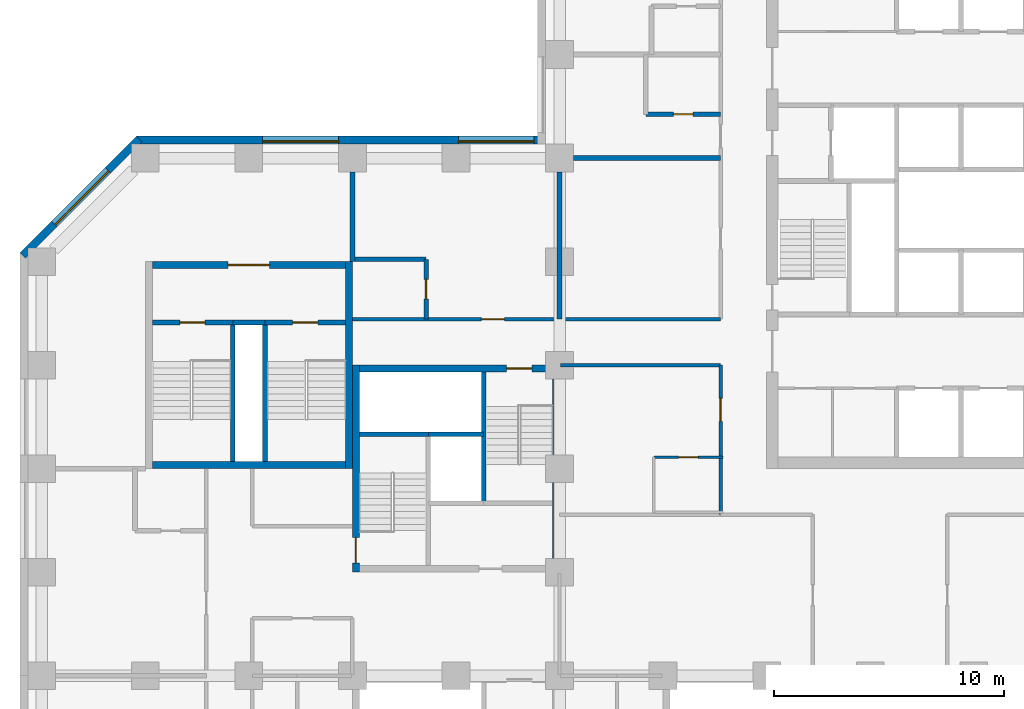
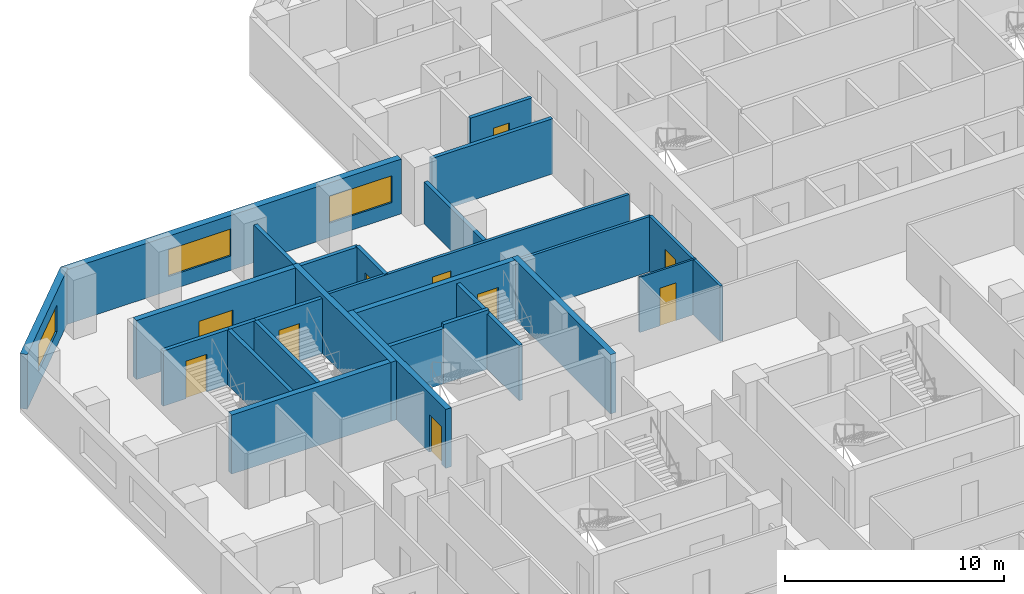
# One storey, part 6 of 12: 26 walls, 10 doors, 3 windows, 13 openings.
"""IFC4 building model written with IfcOpenShell, lengths in metres."""

from ifc_helpers import new_model, si_unit, direction, frame, frame_2d, origin, place, context, subcontext, project, spatial, rectangle, extrude, material, layer, layer_set, constituent, constituent_set, type_object, element, fill, save


model = new_model("IFC4")

# Units and contexts
model_context = context("Model", 3, precision=1e-05, world=origin(), true_north=direction((0.0, 1.0)))
body_context = subcontext(model_context, "Body", "Model", "MODEL_VIEW")
ifc_project = project(units=[si_unit("LENGTHUNIT", "METRE"), si_unit("AREAUNIT", "SQUARE_METRE"), si_unit("VOLUMEUNIT", "CUBIC_METRE"), si_unit("PLANEANGLEUNIT", "RADIAN"), si_unit("MASSUNIT", "GRAM", prefix="KILO")], contexts=[model_context])

# Site, building, storey
site_placement = place(None, origin())
site = spatial("IfcSite", under=ifc_project, at=site_placement, CompositionType="ELEMENT")
building_placement = place(site_placement, origin())
building = spatial("IfcBuilding", under=site, at=building_placement, Name="Quoin Convention Tower", CompositionType="ELEMENT")
storey_placement = place(building_placement, frame((0.0, 0.0, 29.699951171875)))
storey = spatial("IfcBuildingStorey", under=building, at=storey_placement, Name="L06", CompositionType="ELEMENT", Elevation=29.699951171875)

# Wall, openings, windows
ifc_material_1 = material(Name="Brick masonry", Category="masonry")
ifc_layer_1 = layer(ifc_material_1, 0.35009765625)
ifc_layer_set_1 = layer_set([ifc_layer_1], Name="Brick masonry")
wall_type_1 = type_object("IfcWallType", Name="Brick facade wall", PredefinedType="STANDARD", material=ifc_layer_set_1)
wall_1_placement = place(storey_placement, frame((35.39990234375, 63.77490234375, 0.0), z_axis=(0.0, 0.0, 1.0), x_axis=(-1.0, 0.0, 0.0)))
wall_1 = element("IfcWall", 1, at=wall_1_placement, inside=storey, type_object=wall_type_1, Name="fw-L06-36000_63000", PredefinedType="STANDARD", context=body_context, shape_type="SweptSolid", body=[
    extrude(rectangle(XDim=17.79345703125, YDim=0.35009765625, at=frame_2d((8.896728515625, 0.0))), origin(), (0.0, 0.0, 1.0), 3.054931640625),
])
opening_1_placement = place(wall_1_placement, frame((0.5, 0.0, 0.800048828125)))
opening_1 = element("IfcOpeningElement", 2, at=opening_1_placement, cuts=wall_1, Name="Opening W-01", PredefinedType="OPENING", context=body_context, shape_type="SweptSolid", body=[
    extrude(rectangle(XDim=3.300048828125, YDim=1.5, at=frame_2d((1.64990234375, 0.75))), frame((0.0, 0.18505859375, 0.0), z_axis=(0.0, -1.0, 0.0), x_axis=(1.0, 0.0, 0.0)), (0.0, 0.0, 1.0), 0.3701171875),
])
opening_2_placement = place(wall_1_placement, frame((9.0, 0.0, 0.800048828125)))
opening_2 = element("IfcOpeningElement", 3, at=opening_2_placement, cuts=wall_1, Name="Opening W-01", PredefinedType="OPENING", context=body_context, shape_type="SweptSolid", body=[
    extrude(rectangle(XDim=3.300048828125, YDim=1.5, at=frame_2d((1.64990234375, 0.75))), frame((0.0, 0.18505859375, 0.0), z_axis=(0.0, -1.0, 0.0), x_axis=(1.0, 0.0, 0.0)), (0.0, 0.0, 1.0), 0.3701171875),
])
ifc_material_2 = material(Name="Aluminium", Category="aluminium")
ifc_constituent_1 = constituent(ifc_material_2, Name="Frame")
ifc_material_3 = material(Name="Insulated glass", Category="glass")
ifc_constituent_2 = constituent(ifc_material_3, Name="Glazing")
ifc_constituent_set = constituent_set(constituents=[ifc_constituent_1, ifc_constituent_2], Name="Aluminium")
window_type = type_object("IfcWindowType", Name="Hotel strip window", PartitioningType="DOUBLE_PANEL_VERTICAL", PredefinedType="WINDOW", material=ifc_constituent_set)
window_1_placement = place(opening_1_placement, origin())
window_1 = element("IfcWindow", 4, at=window_1_placement, inside=storey, type_object=window_type, Name="win-L06-33750_63775", OverallHeight=1.5, OverallWidth=3.300048828125, PartitioningType="SINGLE_PANEL", PredefinedType="WINDOW", context=body_context, shape_type="SweptSolid", body=[
    extrude(rectangle(XDim=3.300048828125, YDim=1.5, at=frame_2d((1.64990234375, 0.75))), frame((0.0, 0.0849609375, 0.0), z_axis=(0.0, -1.0, 0.0), x_axis=(1.0, 0.0, 0.0)), (0.0, 0.0, 1.0), 0.06005859375),
])
fill(opening_1, window_1)
window_2_placement = place(opening_2_placement, origin())
window_2 = element("IfcWindow", 5, at=window_2_placement, inside=storey, type_object=window_type, Name="win-L06-24750_63775", OverallHeight=1.5, OverallWidth=3.300048828125, PartitioningType="SINGLE_PANEL", PredefinedType="WINDOW", context=body_context, shape_type="SweptSolid", body=[
    extrude(rectangle(XDim=3.300048828125, YDim=1.5, at=frame_2d((1.64990234375, 0.75))), frame((0.0, 0.0849609375, 0.0), z_axis=(0.0, -1.0, 0.0), x_axis=(1.0, 0.0, 0.0)), (0.0, 0.0, 1.0), 0.06005859375),
])
fill(opening_2, window_2)

# Wall, opening, window
wall_2_placement = place(storey_placement, frame((17.730224609375, 63.826416015625, 0.0), z_axis=(0.0, 0.0, 1.0), x_axis=(-0.707106781187, -0.707106781187, 0.0)))
wall_2 = element("IfcWall", 6, at=wall_2_placement, inside=storey, type_object=wall_type_1, Name="fw-L06-18000_63000", PredefinedType="STANDARD", context=body_context, shape_type="SweptSolid", body=[
    extrude(rectangle(XDim=7.151123046875, YDim=0.35009765625, at=frame_2d((3.57568359375, 0.0))), origin(), (0.0, 0.0, 1.0), 3.054931640625),
])
opening_3_placement = place(wall_2_placement, frame((1.925537109375, 0.0, 0.800048828125)))
opening_3 = element("IfcOpeningElement", 7, at=opening_3_placement, cuts=wall_2, Name="Opening W-01", PredefinedType="OPENING", context=body_context, shape_type="SweptSolid", body=[
    extrude(rectangle(XDim=3.300048828125, YDim=1.5, at=frame_2d((1.64990234375, 0.75))), frame((0.0, 0.18505859375, 0.0), z_axis=(0.0, -1.0, 0.0), x_axis=(1.0, 0.0, 0.0)), (0.0, 0.0, 1.0), 0.3701171875),
])
window_3_placement = place(opening_3_placement, origin())
window_3 = element("IfcWindow", 8, at=window_3_placement, inside=storey, type_object=window_type, Name="win-L06-15202_61298", OverallHeight=1.5, OverallWidth=3.300048828125, PartitioningType="SINGLE_PANEL", PredefinedType="WINDOW", context=body_context, shape_type="SweptSolid", body=[
    extrude(rectangle(XDim=3.300048828125, YDim=1.5, at=frame_2d((1.64990234375, 0.75))), frame((0.0, 0.0849609375, 0.0), z_axis=(0.0, -1.0, 0.0), x_axis=(1.0, 0.0, 0.0)), (0.0, 0.0, 1.0), 0.06005859375),
])
fill(opening_3, window_3)

# Walls
ifc_material_4 = material(Name="Concrete C50", Category="concrete")
ifc_layer_2 = layer(ifc_material_4, 0.199951171875)
ifc_layer_set_2 = layer_set([ifc_layer_2], Name="Concrete C50")
wall_type_2 = type_object("IfcWallType", Name="Core shaft wall", PredefinedType="SOLIDWALL", material=ifc_layer_set_2)
wall_3_placement = place(storey_placement, frame((27.300048828125, 51.0, 0.0), z_axis=(0.0, 0.0, 1.0), x_axis=(1.0, 0.0, 0.0)))
element("IfcWall", 9, at=wall_3_placement, inside=storey, type_object=wall_type_2, Name="cr-P2-L06-h6000_300", PredefinedType="SOLIDWALL", context=body_context, shape_type="SweptSolid", body=[
    extrude(rectangle(XDim=3.0, YDim=0.199951171875, at=frame_2d((1.5, 0.0))), origin(), (0.0, 0.0, 1.0), 3.080078125),
])
wall_4_placement = place(storey_placement, frame((32.699951171875, 48.0, 0.0), z_axis=(0.0, 0.0, 1.0), x_axis=(0.0, 1.0, 0.0)))
element("IfcWall", 10, at=wall_4_placement, inside=storey, type_object=wall_type_2, Name="cr-P2-L06-v5700_3000", PredefinedType="SOLIDWALL", context=body_context, shape_type="SweptSolid", body=[
    extrude(rectangle(XDim=5.699951171875, YDim=0.199951171875, at=frame_2d((2.85009765625, 0.0))), origin(), (0.0, 0.0, 1.0), 3.080078125),
])
wall_5_placement = place(storey_placement, frame((21.800048828125, 55.85009765625, 0.0), z_axis=(0.0, 0.0, 1.0), x_axis=(1.0, 0.0, 0.0)))
element("IfcWall", 11, at=wall_5_placement, inside=storey, type_object=wall_type_2, Name="cr-P6-L06-h6350_3800", PredefinedType="SOLIDWALL", context=body_context, shape_type="SweptSolid", body=[
    extrude(rectangle(XDim=1.39990234375, YDim=0.199951171875, at=frame_2d((0.699951171875, 0.0))), origin(), (0.0, 0.0, 1.0), 3.080078125),
])

# Wall, opening, door
wall_6_placement = place(storey_placement, frame((18.300048828125, 55.85009765625, 0.0), z_axis=(0.0, 0.0, 1.0), x_axis=(1.0, 0.0, 0.0)))
wall_6 = element("IfcWall", 12, at=wall_6_placement, inside=storey, type_object=wall_type_2, Name="cr-P6-L06-h6350_300", PredefinedType="SOLIDWALL", context=body_context, shape_type="SweptSolid", body=[
    extrude(rectangle(XDim=3.5, YDim=0.199951171875, at=frame_2d((1.75, 0.0))), origin(), (0.0, 0.0, 1.0), 3.080078125),
])
opening_4_placement = place(wall_6_placement, frame((1.199951171875, 0.0, 0.0)))
opening_4 = element("IfcOpeningElement", 13, at=opening_4_placement, cuts=wall_6, Name="Opening SD11", PredefinedType="OPENING", context=body_context, shape_type="SweptSolid", body=[
    extrude(rectangle(XDim=1.10009765625, YDim=2.10009765625, at=frame_2d((0.550048828125, 1.050048828125))), frame((0.0, 0.10986328125, 0.0), z_axis=(0.0, -1.0, 0.0), x_axis=(1.0, 0.0, 0.0)), (0.0, 0.0, 1.0), 0.219970703125),
])
ifc_material_5 = material(Name="Steel door leaf", Category="steel")
door_type_1 = type_object("IfcDoorType", Name="Stair door 1100 x 2100", OperationType="SINGLE_SWING_RIGHT", PredefinedType="DOOR", material=ifc_material_5)
door_1_placement = place(opening_4_placement, origin())
door_1 = element("IfcDoor", 14, at=door_1_placement, inside=storey, type_object=door_type_1, Name="cd-P6-L06-SA-R2-SD11", OperationType="SINGLE_SWING_RIGHT", OverallHeight=2.10009765625, OverallWidth=1.10009765625, PredefinedType="DOOR", context=body_context, shape_type="SweptSolid", body=[
    extrude(rectangle(XDim=1.10009765625, YDim=2.10009765625, at=frame_2d((0.550048828125, 1.050048828125))), frame((0.0, 0.02490234375, 0.0), z_axis=(0.0, -1.0, 0.0), x_axis=(1.0, 0.0, 0.0)), (0.0, 0.0, 1.0), 0.050048828125),
])
fill(opening_4, door_1)

wall_7_placement = place(storey_placement, frame((23.199951171875, 55.85009765625, 0.0), z_axis=(0.0, 0.0, 1.0), x_axis=(1.0, 0.0, 0.0)))
wall_7 = element("IfcWall", 15, at=wall_7_placement, inside=storey, type_object=wall_type_2, Name="cr-P6-L06-h6350_5200", PredefinedType="SOLIDWALL", context=body_context, shape_type="SweptSolid", body=[
    extrude(rectangle(XDim=3.5, YDim=0.199951171875, at=frame_2d((1.75, 0.0))), origin(), (0.0, 0.0, 1.0), 3.080078125),
])
opening_5_placement = place(wall_7_placement, frame((1.199951171875, 0.0, 0.0)))
opening_5 = element("IfcOpeningElement", 16, at=opening_5_placement, cuts=wall_7, Name="Opening SD12", PredefinedType="OPENING", context=body_context, shape_type="SweptSolid", body=[
    extrude(rectangle(XDim=1.10009765625, YDim=2.10009765625, at=frame_2d((0.550048828125, 1.050048828125))), frame((0.0, 0.10986328125, 0.0), z_axis=(0.0, -1.0, 0.0), x_axis=(1.0, 0.0, 0.0)), (0.0, 0.0, 1.0), 0.219970703125),
])
door_2_placement = place(opening_5_placement, origin())
door_2 = element("IfcDoor", 17, at=door_2_placement, inside=storey, type_object=door_type_1, Name="cd-P6-L06-SB-R2-SD12", OperationType="SINGLE_SWING_RIGHT", OverallHeight=2.10009765625, OverallWidth=1.10009765625, PredefinedType="DOOR", context=body_context, shape_type="SweptSolid", body=[
    extrude(rectangle(XDim=1.10009765625, YDim=2.10009765625, at=frame_2d((0.550048828125, 1.050048828125))), frame((0.0, 0.02490234375, 0.0), z_axis=(0.0, -1.0, 0.0), x_axis=(1.0, 0.0, 0.0)), (0.0, 0.0, 1.0), 0.050048828125),
])
fill(opening_5, door_2)

# Walls
for number, where, z_axis, x_axis, name in (
    (18, (21.800048828125, 49.800048828125, 0.0), (0.0, 0.0, 1.0), (0.0, 1.0, 0.0), "cr-P6-L06-v3800_300"),
    (19, (23.199951171875, 49.800048828125, 0.0), (0.0, 0.0, 1.0), (0.0, 1.0, 0.0), "cr-P6-L06-v5200_300"),
):
    element("IfcWall", number, at=place(storey_placement, frame(where, z_axis=z_axis, x_axis=x_axis)), inside=storey, type_object=wall_type_2, Name=name, PredefinedType="SOLIDWALL", context=body_context, shape_type="SweptSolid", body=[
        extrude(rectangle(XDim=6.050048828125, YDim=0.199951171875, at=frame_2d((3.02490234375, 0.0))), origin(), (0.0, 0.0, 1.0), 3.080078125),
    ])
ifc_layer_3 = layer(ifc_material_4, 0.199951171875)
ifc_layer_set_3 = layer_set([ifc_layer_3], Name="Concrete C50")
wall_type_3 = type_object("IfcWallType", Name="Core shaft wall to the floor level over", PredefinedType="SOLIDWALL", material=ifc_layer_set_3)
wall_8_placement = place(storey_placement, frame((30.300048828125, 51.0, 0.0), z_axis=(0.0, 0.0, 1.0), x_axis=(1.0, 0.0, 0.0)))
element("IfcWall", 20, at=wall_8_placement, inside=storey, type_object=wall_type_3, Name="cr-P2-L06-h6000_3300", PredefinedType="SOLIDWALL", context=body_context, shape_type="SweptSolid", body=[
    extrude(rectangle(XDim=2.39990234375, YDim=0.199951171875, at=frame_2d((1.199951171875, 0.0))), origin(), (0.0, 0.0, 1.0), 3.300048828125),
])

# Wall, opening, door
ifc_material_6 = material(Name="Concrete C80", Category="concrete")
ifc_layer_4 = layer(ifc_material_6, 0.300048828125)
ifc_layer_set_4 = layer_set([ifc_layer_4], Name="Concrete C80")
wall_type_4 = type_object("IfcWallType", Name="RC CORE WALL 300 C80", PredefinedType="SHEAR", material=ifc_layer_set_4)
wall_9_placement = place(storey_placement, frame((27.300048828125, 53.85009765625, 0.0), z_axis=(0.0, 0.0, 1.0), x_axis=(1.0, 0.0, 0.0)))
wall_9 = element("IfcWall", 21, at=wall_9_placement, inside=storey, type_object=wall_type_4, Name="cwl-P2-L06-N", PredefinedType="SHEAR", context=body_context, shape_type="SweptSolid", body=[
    extrude(rectangle(XDim=8.39990234375, YDim=0.300048828125, at=frame_2d((4.199951171875, 0.0))), origin(), (0.0, 0.0, 1.0), 3.300048828125),
])
opening_6_placement = place(wall_9_placement, frame((6.39990234375, 0.0, 0.0)))
opening_6 = element("IfcOpeningElement", 22, at=opening_6_placement, cuts=wall_9, Name="Opening SD4", PredefinedType="OPENING", context=body_context, shape_type="SweptSolid", body=[
    extrude(rectangle(XDim=1.10009765625, YDim=2.10009765625, at=frame_2d((0.550048828125, 1.050048828125))), frame((0.0, 0.159912109375, 0.0), z_axis=(0.0, -1.0, 0.0), x_axis=(1.0, 0.0, 0.0)), (0.0, 0.0, 1.0), 0.320068359375),
])
door_3_placement = place(opening_6_placement, frame((1.10009765625, 0.0, 0.0), z_axis=(0.0, 0.0, 1.0), x_axis=(-1.0, 0.0, 0.0)))
door_3 = element("IfcDoor", 23, at=door_3_placement, inside=storey, type_object=door_type_1, Name="cd-P2-L06-SB-N", OperationType="SINGLE_SWING_LEFT", OverallHeight=2.10009765625, OverallWidth=1.10009765625, PredefinedType="DOOR", context=body_context, shape_type="SweptSolid", body=[
    extrude(rectangle(XDim=1.10009765625, YDim=2.10009765625, at=frame_2d((0.550048828125, 1.050048828125))), frame((0.0, 0.02490234375, 0.0), z_axis=(0.0, -1.0, 0.0), x_axis=(1.0, 0.0, 0.0)), (0.0, 0.0, 1.0), 0.050048828125),
])
fill(opening_6, door_3)

wall_10_placement = place(storey_placement, frame((27.14990234375, 45.0, 0.0), z_axis=(0.0, 0.0, 1.0), x_axis=(0.0, 1.0, 0.0)))
wall_10 = element("IfcWall", 24, at=wall_10_placement, inside=storey, type_object=wall_type_4, Name="cwl-P2-L06-W", PredefinedType="SHEAR", context=body_context, shape_type="SweptSolid", body=[
    extrude(rectangle(XDim=9.0, YDim=0.300048828125, at=frame_2d((4.5, 0.0))), origin(), (0.0, 0.0, 1.0), 3.300048828125),
])
opening_7_placement = place(wall_10_placement, frame((0.39990234375, 0.0, 0.0)))
opening_7 = element("IfcOpeningElement", 25, at=opening_7_placement, cuts=wall_10, Name="Opening SD3", PredefinedType="OPENING", context=body_context, shape_type="SweptSolid", body=[
    extrude(rectangle(XDim=1.10009765625, YDim=2.10009765625, at=frame_2d((0.550048828125, 1.050048828125))), frame((0.0, 0.159912109375, 0.0), z_axis=(0.0, -1.0, 0.0), x_axis=(1.0, 0.0, 0.0)), (0.0, 0.0, 1.0), 0.320068359375),
])
door_4_placement = place(opening_7_placement, frame((1.10009765625, 0.0, 0.0), z_axis=(0.0, 0.0, 1.0), x_axis=(-1.0, 0.0, 0.0)))
door_4 = element("IfcDoor", 26, at=door_4_placement, inside=storey, type_object=door_type_1, Name="cd-P2-L06-SA-W", OperationType="SINGLE_SWING_RIGHT", OverallHeight=2.10009765625, OverallWidth=1.10009765625, PredefinedType="DOOR", context=body_context, shape_type="SweptSolid", body=[
    extrude(rectangle(XDim=1.10009765625, YDim=2.10009765625, at=frame_2d((0.550048828125, 1.050048828125))), frame((0.0, 0.02490234375, 0.0), z_axis=(0.0, -1.0, 0.0), x_axis=(1.0, 0.0, 0.0)), (0.0, 0.0, 1.0), 0.050048828125),
])
fill(opening_7, door_4)

# Walls
wall_11_placement = place(storey_placement, frame((35.85009765625, 45.0, 0.0), z_axis=(0.0, 0.0, 1.0), x_axis=(0.0, 1.0, 0.0)))
element("IfcWall", 27, at=wall_11_placement, inside=storey, type_object=wall_type_4, Name="cwl-P2-L06-E", PredefinedType="SHEAR", context=body_context, shape_type="SweptSolid", body=[
    extrude(rectangle(XDim=9.0, YDim=0.300048828125, at=frame_2d((4.5, 0.0))), origin(), (0.0, 0.0, 1.0), 3.300048828125),
])
wall_12_placement = place(storey_placement, frame((18.300048828125, 49.64990234375, 0.0), z_axis=(0.0, 0.0, 1.0), x_axis=(1.0, 0.0, 0.0)))
element("IfcWall", 28, at=wall_12_placement, inside=storey, type_object=wall_type_4, Name="cwl-P6-L06-S", PredefinedType="SHEAR", context=body_context, shape_type="SweptSolid", body=[
    extrude(rectangle(XDim=8.39990234375, YDim=0.300048828125, at=frame_2d((4.199951171875, 0.0))), origin(), (0.0, 0.0, 1.0), 3.300048828125),
])

# Wall, opening, door
wall_13_placement = place(storey_placement, frame((18.300048828125, 58.35009765625, 0.0), z_axis=(0.0, 0.0, 1.0), x_axis=(1.0, 0.0, 0.0)))
wall_13 = element("IfcWall", 29, at=wall_13_placement, inside=storey, type_object=wall_type_4, Name="cwl-P6-L06-N", PredefinedType="SHEAR", context=body_context, shape_type="SweptSolid", body=[
    extrude(rectangle(XDim=8.39990234375, YDim=0.300048828125, at=frame_2d((4.199951171875, 0.0))), origin(), (0.0, 0.0, 1.0), 3.300048828125),
])
opening_8_placement = place(wall_13_placement, frame((3.300048828125, 0.0, 0.0)))
opening_8 = element("IfcOpeningElement", 30, at=opening_8_placement, cuts=wall_13, Name="Opening DCV2-45", PredefinedType="OPENING", context=body_context, shape_type="SweptSolid", body=[
    extrude(rectangle(XDim=1.800048828125, YDim=2.10009765625, at=frame_2d((0.89990234375, 1.050048828125))), frame((0.0, 0.159912109375, 0.0), z_axis=(0.0, -1.0, 0.0), x_axis=(1.0, 0.0, 0.0)), (0.0, 0.0, 1.0), 0.320068359375),
])
door_type_2 = type_object("IfcDoorType", Name="Goods lobby door 1800 x 2100", OperationType="SINGLE_SWING_LEFT", PredefinedType="DOOR", material=ifc_material_5)
door_5_placement = place(opening_8_placement, origin())
door_5 = element("IfcDoor", 31, at=door_5_placement, inside=storey, type_object=door_type_2, Name="cd-P6-L06-R2-N", OperationType="SINGLE_SWING_RIGHT", OverallHeight=2.10009765625, OverallWidth=1.800048828125, PredefinedType="DOOR", context=body_context, shape_type="SweptSolid", body=[
    extrude(rectangle(XDim=1.800048828125, YDim=2.10009765625, at=frame_2d((0.89990234375, 1.050048828125))), frame((0.0, 0.02490234375, 0.0), z_axis=(0.0, -1.0, 0.0), x_axis=(1.0, 0.0, 0.0)), (0.0, 0.0, 1.0), 0.050048828125),
])
fill(opening_8, door_5)

# Walls
wall_14_placement = place(storey_placement, frame((26.85009765625, 49.5, 0.0), z_axis=(0.0, 0.0, 1.0), x_axis=(0.0, 1.0, 0.0)))
element("IfcWall", 32, at=wall_14_placement, inside=storey, type_object=wall_type_4, Name="cwl-P6-L06-E", PredefinedType="SHEAR", context=body_context, shape_type="SweptSolid", body=[
    extrude(rectangle(XDim=9.0, YDim=0.300048828125, at=frame_2d((4.5, 0.0))), origin(), (0.0, 0.0, 1.0), 3.300048828125),
])
ifc_layer_5 = layer(ifc_material_4, 0.199951171875)
ifc_layer_set_5 = layer_set([ifc_layer_5], Name="Concrete C50")
wall_type_5 = type_object("IfcWallType", Name="RC party wall", PredefinedType="SOLIDWALL", material=ifc_layer_set_5)
wall_15_placement = place(storey_placement, frame((27.0, 58.5, 0.0), z_axis=(0.0, 0.0, 1.0), x_axis=(0.0, 1.0, 0.0)))
element("IfcWall", 33, at=wall_15_placement, inside=storey, type_object=wall_type_5, Name="pw-L06-097", PredefinedType="SOLIDWALL", context=body_context, shape_type="SweptSolid", body=[
    extrude(rectangle(XDim=3.89990234375, YDim=0.199951171875, at=frame_2d((1.949951171875, 0.0))), origin(), (0.0, 0.0, 1.0), 3.080078125),
])

# Wall, opening, door
wall_16_placement = place(storey_placement, frame((30.199951171875, 56.0, 0.0), z_axis=(0.0, 0.0, 1.0), x_axis=(0.0, 1.0, 0.0)))
wall_16 = element("IfcWall", 34, at=wall_16_placement, inside=storey, type_object=wall_type_5, Name="pw-L06-098", PredefinedType="SOLIDWALL", context=body_context, shape_type="SweptSolid", body=[
    extrude(rectangle(XDim=2.60009765625, YDim=0.199951171875, at=frame_2d((1.300048828125, 0.0))), origin(), (0.0, 0.0, 1.0), 3.080078125),
])
opening_9_placement = place(wall_16_placement, frame((0.875, 0.0, 0.0)))
opening_9 = element("IfcOpeningElement", 35, at=opening_9_placement, cuts=wall_16, Name="Opening DHOTEL-B-60", PredefinedType="OPENING", context=body_context, shape_type="SweptSolid", body=[
    extrude(rectangle(XDim=0.85009765625, YDim=2.10009765625, at=frame_2d((0.425048828125, 1.050048828125))), frame((0.0, 0.10986328125, 0.0), z_axis=(0.0, -1.0, 0.0), x_axis=(1.0, 0.0, 0.0)), (0.0, 0.0, 1.0), 0.219970703125),
])
door_type_3 = type_object("IfcDoorType", Name="Bathroom door", OperationType="SINGLE_SWING_LEFT", PredefinedType="DOOR", material=ifc_material_5)
door_6_placement = place(opening_9_placement, frame((0.85009765625, 0.0, 0.0), z_axis=(0.0, 0.0, 1.0), x_axis=(-1.0, 0.0, 0.0)))
door_6 = element("IfcDoor", 36, at=door_6_placement, inside=storey, type_object=door_type_3, Name="dr-L06-028", OperationType="SINGLE_SWING_RIGHT", OverallHeight=2.10009765625, OverallWidth=0.85009765625, PredefinedType="DOOR", context=body_context, shape_type="SweptSolid", body=[
    extrude(rectangle(XDim=0.85009765625, YDim=2.10009765625, at=frame_2d((0.425048828125, 1.050048828125))), frame((0.0, 0.02490234375, 0.0), z_axis=(0.0, -1.0, 0.0), x_axis=(1.0, 0.0, 0.0)), (0.0, 0.0, 1.0), 0.050048828125),
])
fill(opening_9, door_6)

# Wall
wall_17_placement = place(storey_placement, frame((27.10009765625, 58.60009765625, 0.0), z_axis=(0.0, 0.0, 1.0), x_axis=(1.0, 0.0, 0.0)))
element("IfcWall", 37, at=wall_17_placement, inside=storey, type_object=wall_type_5, Name="pw-L06-103", PredefinedType="SOLIDWALL", context=body_context, shape_type="SweptSolid", body=[
    extrude(rectangle(XDim=3.099853515625, YDim=0.199951171875, at=frame_2d((1.5498046875, 0.0))), origin(), (0.0, 0.0, 1.0), 3.080078125),
])

# Wall, opening, door
wall_18_placement = place(storey_placement, frame((39.75, 64.89990234375, 0.0), z_axis=(0.0, 0.0, 1.0), x_axis=(1.0, 0.0, 0.0)))
wall_18 = element("IfcWall", 38, at=wall_18_placement, inside=storey, type_object=wall_type_5, Name="pw-L06-110", PredefinedType="SOLIDWALL", context=body_context, shape_type="SweptSolid", body=[
    extrude(rectangle(XDim=3.25, YDim=0.199951171875, at=frame_2d((1.625, 0.0))), origin(), (0.0, 0.0, 1.0), 3.080078125),
])
opening_10_placement = place(wall_18_placement, frame((1.199951171875, 0.0, 0.0)))
opening_10 = element("IfcOpeningElement", 39, at=opening_10_placement, cuts=wall_18, Name="Opening DHOTEL-B-62", PredefinedType="OPENING", context=body_context, shape_type="SweptSolid", body=[
    extrude(rectangle(XDim=0.85009765625, YDim=2.10009765625, at=frame_2d((0.425048828125, 1.050048828125))), frame((0.0, 0.10986328125, 0.0), z_axis=(0.0, -1.0, 0.0), x_axis=(1.0, 0.0, 0.0)), (0.0, 0.0, 1.0), 0.219970703125),
])
door_7_placement = place(opening_10_placement, frame((0.85009765625, 0.0, 0.0), z_axis=(0.0, 0.0, 1.0), x_axis=(-1.0, 0.0, 0.0)))
door_7 = element("IfcDoor", 40, at=door_7_placement, inside=storey, type_object=door_type_3, Name="dr-L06-032", OperationType="SINGLE_SWING_LEFT", OverallHeight=2.10009765625, OverallWidth=0.85009765625, PredefinedType="DOOR", context=body_context, shape_type="SweptSolid", body=[
    extrude(rectangle(XDim=0.85009765625, YDim=2.10009765625, at=frame_2d((0.425048828125, 1.050048828125))), frame((0.0, 0.02490234375, 0.0), z_axis=(0.0, -1.0, 0.0), x_axis=(1.0, 0.0, 0.0)), (0.0, 0.0, 1.0), 0.050048828125),
])
fill(opening_10, door_7)

ifc_material_7 = material(Name="Plasterboard")
ifc_layer_6 = layer(ifc_material_7, 0.012451171875, Name="Finish")
ifc_material_8 = material(Name="Steel stud framing", Category="steel")
ifc_layer_7 = layer(ifc_material_8, 0.074951171875, Name="Structure")
ifc_layer_8 = layer(ifc_material_7, 0.012451171875, Name="Finish")
ifc_layer_set_6 = layer_set([ifc_layer_6, ifc_layer_7, ifc_layer_8], Name="Steel stud framing")
wall_type_6 = type_object("IfcWallType", Name="bathroom partition", PredefinedType="PARTITIONING", material=ifc_layer_set_6)
wall_19_placement = place(storey_placement, frame((43.10009765625, 50.0, 0.0), z_axis=(0.0, 0.0, 1.0), x_axis=(-1.0, 0.0, 0.0)))
wall_19 = element("IfcWall", 41, at=wall_19_placement, inside=storey, type_object=wall_type_6, Name="pw-L06-w01", PredefinedType="PARTITIONING", context=body_context, shape_type="SweptSolid", body=[
    extrude(rectangle(XDim=3.0, YDim=0.10009765625, at=frame_2d((1.5, 0.0))), origin(), (0.0, 0.0, 1.0), 3.080078125),
])
opening_11_placement = place(wall_19_placement, frame((1.074951171875, 0.0, 0.0)))
opening_11 = element("IfcOpeningElement", 42, at=opening_11_placement, cuts=wall_19, Name="Opening DHOTEL-B-73", PredefinedType="OPENING", context=body_context, shape_type="SweptSolid", body=[
    extrude(rectangle(XDim=0.85009765625, YDim=2.10009765625, at=frame_2d((0.425048828125, 1.050048828125))), frame((0.0, 0.06005859375, 0.0), z_axis=(0.0, -1.0, 0.0), x_axis=(1.0, 0.0, 0.0)), (0.0, 0.0, 1.0), 0.1201171875),
])
door_8_placement = place(opening_11_placement, frame((0.85009765625, 0.0, 0.0), z_axis=(0.0, 0.0, 1.0), x_axis=(-1.0, 0.0, 0.0)))
door_8 = element("IfcDoor", 43, at=door_8_placement, inside=storey, type_object=door_type_3, Name="dr-L06-w02", OperationType="SINGLE_SWING_RIGHT", OverallHeight=2.10009765625, OverallWidth=0.85009765625, PredefinedType="DOOR", context=body_context, shape_type="SweptSolid", body=[
    extrude(rectangle(XDim=0.85009765625, YDim=2.10009765625, at=frame_2d((0.425048828125, 1.050048828125))), frame((0.0, 0.02490234375, 0.0), z_axis=(0.0, -1.0, 0.0), x_axis=(1.0, 0.0, 0.0)), (0.0, 0.0, 1.0), 0.050048828125),
])
fill(opening_11, door_8)

ifc_layer_9 = layer(ifc_material_7, 0.012451171875, Name="Finish")
ifc_layer_10 = layer(ifc_material_8, 0.125, Name="Structure")
ifc_layer_11 = layer(ifc_material_7, 0.012451171875, Name="Finish")
ifc_layer_set_7 = layer_set([ifc_layer_9, ifc_layer_10, ifc_layer_11], Name="Steel stud framing")
wall_type_7 = type_object("IfcWallType", Name="corridor partition", PredefinedType="PARTITIONING", material=ifc_layer_set_7)
wall_20_placement = place(storey_placement, frame((43.0, 47.5, 0.0), z_axis=(0.0, 0.0, 1.0), x_axis=(0.0, 1.0, 0.0)))
wall_20 = element("IfcWall", 44, at=wall_20_placement, inside=storey, type_object=wall_type_7, Name="pw-L06-029", PredefinedType="PARTITIONING", context=body_context, shape_type="SweptSolid", body=[
    extrude(rectangle(XDim=6.5, YDim=0.14990234375, at=frame_2d((3.25, 0.0))), origin(), (0.0, 0.0, 1.0), 3.080078125),
])
opening_12_placement = place(wall_20_placement, frame((4.050048828125, 0.0, 0.0)))
opening_12 = element("IfcOpeningElement", 45, at=opening_12_placement, cuts=wall_20, Name="Opening DHOTEL-B-23", PredefinedType="OPENING", context=body_context, shape_type="SweptSolid", body=[
    extrude(rectangle(XDim=1.0, YDim=2.10009765625, at=frame_2d((0.5, 1.050048828125))), frame((0.0, 0.0849609375, 0.0), z_axis=(0.0, -1.0, 0.0), x_axis=(1.0, 0.0, 0.0)), (0.0, 0.0, 1.0), 0.169921875),
])
door_type_4 = type_object("IfcDoorType", Name="Hotel room door", OperationType="SINGLE_SWING_LEFT", PredefinedType="DOOR", material=ifc_material_5)
door_9_placement = place(opening_12_placement, origin())
door_9 = element("IfcDoor", 46, at=door_9_placement, inside=storey, type_object=door_type_4, Name="dr-L06-w01", OperationType="SINGLE_SWING_RIGHT", OverallHeight=2.10009765625, OverallWidth=1.0, PredefinedType="DOOR", context=body_context, shape_type="SweptSolid", body=[
    extrude(rectangle(XDim=1.0, YDim=2.10009765625, at=frame_2d((0.5, 1.050048828125))), frame((0.0, 0.02490234375, 0.0), z_axis=(0.0, -1.0, 0.0), x_axis=(1.0, 0.0, 0.0)), (0.0, 0.0, 1.0), 0.050048828125),
])
fill(opening_12, door_9)

# Wall
wall_21_placement = place(storey_placement, frame((36.050048828125, 54.0, 0.0), z_axis=(0.0, 0.0, 1.0), x_axis=(1.0, 0.0, 0.0)))
element("IfcWall", 47, at=wall_21_placement, inside=storey, type_object=wall_type_7, Name="pw-L06-033", PredefinedType="PARTITIONING", context=body_context, shape_type="SweptSolid", body=[
    extrude(rectangle(XDim=6.949951171875, YDim=0.14990234375, at=frame_2d((3.47509765625, 0.0))), origin(), (0.0, 0.0, 1.0), 3.080078125),
])

# Wall, opening, door
wall_22_placement = place(storey_placement, frame((27.0, 56.0, 0.0), z_axis=(0.0, 0.0, 1.0), x_axis=(1.0, 0.0, 0.0)))
wall_22 = element("IfcWall", 48, at=wall_22_placement, inside=storey, type_object=wall_type_7, Name="pw-L06-034", PredefinedType="PARTITIONING", context=body_context, shape_type="SweptSolid", body=[
    extrude(rectangle(XDim=16.0, YDim=0.14990234375, at=frame_2d((8.0, 0.0))), origin(), (0.0, 0.0, 1.0), 3.080078125),
])
opening_13_placement = place(wall_22_placement, frame((5.60009765625, 0.0, 0.0)))
opening_13 = element("IfcOpeningElement", 49, at=opening_13_placement, cuts=wall_22, Name="Opening DHOTEL-B-32", PredefinedType="OPENING", context=body_context, shape_type="SweptSolid", body=[
    extrude(rectangle(XDim=1.0, YDim=2.10009765625, at=frame_2d((0.5, 1.050048828125))), frame((0.0, 0.0849609375, 0.0), z_axis=(0.0, -1.0, 0.0), x_axis=(1.0, 0.0, 0.0)), (0.0, 0.0, 1.0), 0.169921875),
])
door_10_placement = place(opening_13_placement, origin())
door_10 = element("IfcDoor", 50, at=door_10_placement, inside=storey, type_object=door_type_4, Name="dr-L06-027", OperationType="SINGLE_SWING_RIGHT", OverallHeight=2.10009765625, OverallWidth=1.0, PredefinedType="DOOR", context=body_context, shape_type="SweptSolid", body=[
    extrude(rectangle(XDim=1.0, YDim=2.10009765625, at=frame_2d((0.5, 1.050048828125))), frame((0.0, 0.02490234375, 0.0), z_axis=(0.0, -1.0, 0.0), x_axis=(1.0, 0.0, 0.0)), (0.0, 0.0, 1.0), 0.050048828125),
])
fill(opening_13, door_10)

# Walls
ifc_layer_12 = layer(ifc_material_7, 0.012451171875, Name="Finish")
ifc_layer_13 = layer(ifc_material_8, 0.175048828125, Name="Structure")
ifc_layer_14 = layer(ifc_material_7, 0.012451171875, Name="Finish")
ifc_layer_set_8 = layer_set([ifc_layer_12, ifc_layer_13, ifc_layer_14], Name="Steel stud framing")
wall_type_8 = type_object("IfcWallType", Name="guest room compartment wall", PredefinedType="PARTITIONING", material=ifc_layer_set_8)
wall_23_placement = place(storey_placement, frame((36.60009765625, 63.0, 0.0), z_axis=(0.0, 0.0, 1.0), x_axis=(1.0, 0.0, 0.0)))
element("IfcWall", 51, at=wall_23_placement, inside=storey, type_object=wall_type_8, Name="pw-L06-004", PredefinedType="PARTITIONING", context=body_context, shape_type="SweptSolid", body=[
    extrude(rectangle(XDim=6.39990234375, YDim=0.199951171875, at=frame_2d((3.199951171875, 0.0))), origin(), (0.0, 0.0, 1.0), 3.080078125),
])
ifc_layer_15 = layer(ifc_material_7, 0.012451171875, Name="Finish")
ifc_layer_16 = layer(ifc_material_8, 0.175048828125, Name="Structure")
ifc_layer_17 = layer(ifc_material_7, 0.012451171875, Name="Finish")
ifc_layer_set_9 = layer_set([ifc_layer_15, ifc_layer_16, ifc_layer_17], Name="Steel stud framing")
wall_type_9 = type_object("IfcWallType", Name="guest room compartment wall under beam 750", PredefinedType="PARTITIONING", material=ifc_layer_set_9)
wall_24_placement = place(storey_placement, frame((36.0, 56.0, 0.0), z_axis=(0.0, 0.0, 1.0), x_axis=(0.0, 1.0, 0.0)))
element("IfcWall", 52, at=wall_24_placement, inside=storey, type_object=wall_type_9, Name="pw-L06-003", PredefinedType="PARTITIONING", context=body_context, shape_type="SweptSolid", body=[
    extrude(rectangle(XDim=6.39990234375, YDim=0.199951171875, at=frame_2d((3.199951171875, 0.0))), origin(), (0.0, 0.0, 1.0), 2.330078125),
])

save(model, "model.ifc")
